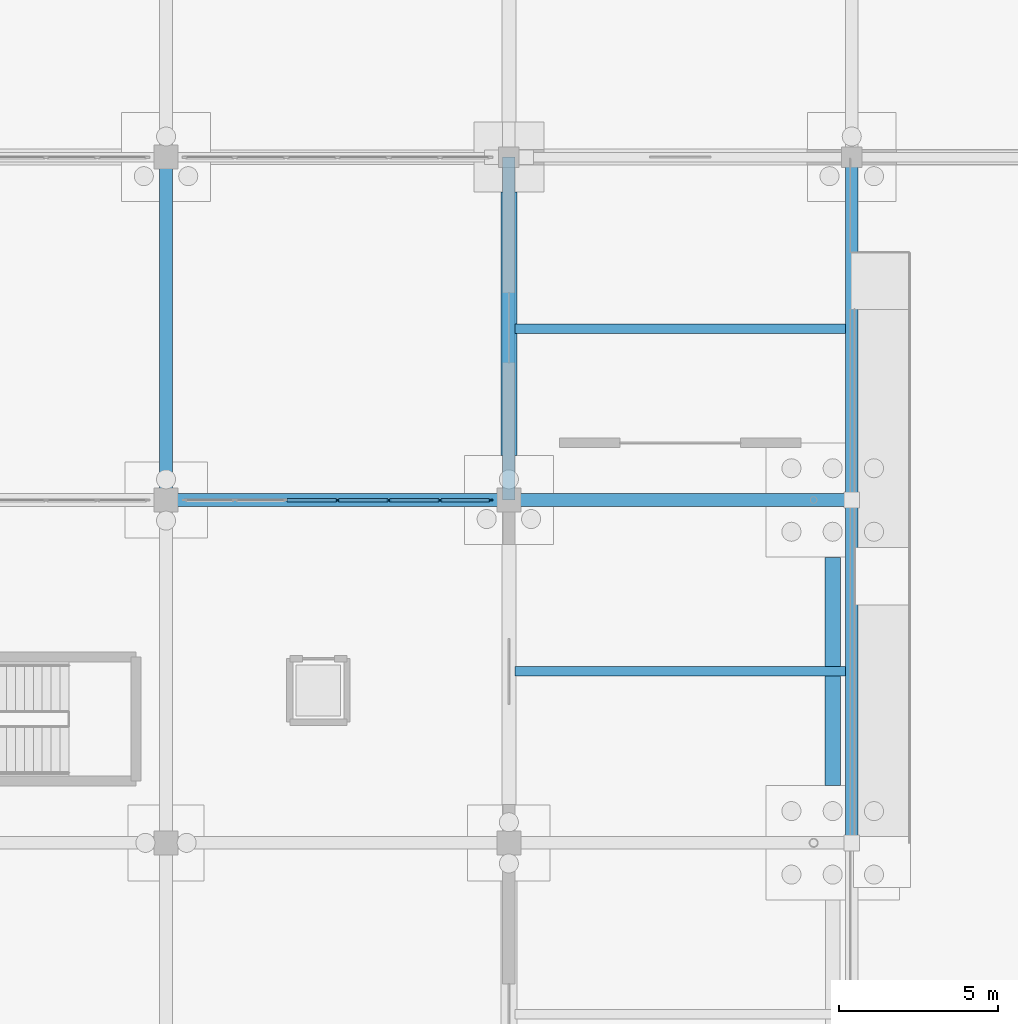
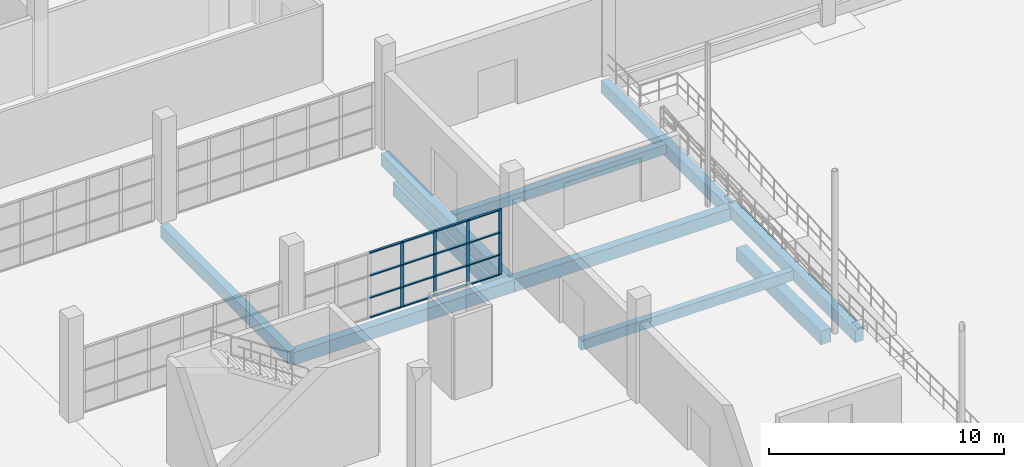
# One storey, part 73 of 138: 20 members, 10 beams, 1 element without a shape of its own.
"""IFC4 building model written with IfcOpenShell, lengths in metres."""

from ifc_helpers import new_model, si_unit, direction, frame, origin, origin_2d, place, context, subcontext, project, spatial, rectangle, extrude, material, material_profile, profile_set, type_object, element, aggregate, save


model = new_model("IFC4")

# Units and contexts
model_context = context("Model", 3, precision=1e-05, world=origin(), true_north=direction((0.0, 1.0)))
body_context = subcontext(model_context, "Body", "Model", "MODEL_VIEW")
ifc_project = project(units=[si_unit("LENGTHUNIT", "METRE"), si_unit("AREAUNIT", "SQUARE_METRE"), si_unit("VOLUMEUNIT", "CUBIC_METRE"), si_unit("PLANEANGLEUNIT", "RADIAN"), si_unit("MASSUNIT", "GRAM", prefix="KILO")], contexts=[model_context])

# Site, building, storey
site_placement = place(None, origin())
site = spatial("IfcSite", under=ifc_project, at=site_placement, CompositionType="ELEMENT")
building_placement = place(site_placement, origin())
building = spatial("IfcBuilding", under=site, at=building_placement, Name="Zwinboog Wholesale Market", CompositionType="ELEMENT")
storey_placement = place(building_placement, origin())
storey = spatial("IfcBuildingStorey", under=building, at=storey_placement, Name="L00", CompositionType="ELEMENT", Elevation=0.0)

# Beams
ifc_material_1 = material(Name="Precast concrete C45/55", Category="concrete")
ifc_material_profile_1 = material_profile(ifc_material_1, rectangle(XDim=0.39990234375, YDim=0.64990234375, at=origin_2d()), Name="PC 400x650")
ifc_profile_set_1 = profile_set([ifc_material_profile_1], Name="Precast concrete C45/55")
beam_type_1 = type_object("IfcBeamType", Name="BT-05", PredefinedType="BEAM", material=ifc_profile_set_1)
for number, where, z_axis, x_axis, name in (
    (1, (162.0, 86.39990234375, -0.680908203125), (1.0, 0.0, 0.0), (0.0, 1.0, 0.0), "BG-05 (BMG-L00-1620-0864-0130)"),
    (2, (162.0, 86.39990234375, -0.680908203125), (0.0, 1.0, 0.0), (-1.0, 0.0, 0.0), "BG-05 (BMG-L00-1620-0864-0373)"),
    (3, (172.800048828125, 86.39990234375, -0.719970703125), (0.0, 1.0, 0.0), (-1.0, 0.0, 0.0), "BG-05 (BMG-L00-1728-0864-0385)"),
    (4, (172.800048828125, 86.39990234375, -0.680908203125), (1.0, 0.0, 0.0), (0.0, 1.0, 0.0), "BG-05 (BM-TER-L00-0015)"),
):
    element("IfcBeam", number, at=place(storey_placement, frame(where, z_axis=z_axis, x_axis=x_axis)), inside=storey, type_object=beam_type_1, Name=name, PredefinedType="BEAM", context=body_context, shape_type="SweptSolid", body=[
        extrude(rectangle(XDim=0.39990234375, YDim=0.64990234375, at=origin_2d()), origin(), (0.0, 0.0, 1.0), 10.800048828125),
    ])
beam_1_placement = place(storey_placement, frame((183.60009765625, 75.60009765625, -0.5869140625), z_axis=(0.0, 1.0, 0.0), x_axis=(-1.0, 0.0, 0.0)))
element("IfcBeam", 5, at=beam_1_placement, inside=storey, type_object=beam_type_1, Name="BG-05 (BM-TER-L00-0028)", PredefinedType="BEAM", context=body_context, shape_type="SweptSolid", body=[
    extrude(rectangle(XDim=0.39990234375, YDim=0.64990234375, at=origin_2d()), origin(), (0.0, 0.0, 1.0), 10.7998046875),
])
beam_2_placement = place(storey_placement, frame((183.60009765625, 86.39990234375, -0.719970703125), z_axis=(0.0, 1.0, 0.0), x_axis=(-1.0, 0.0, 0.0)))
element("IfcBeam", 6, at=beam_2_placement, inside=storey, type_object=beam_type_1, Name="BG-05 (BM-TER-L00-0029)", PredefinedType="BEAM", context=body_context, shape_type="SweptSolid", body=[
    extrude(rectangle(XDim=0.39990234375, YDim=0.64990234375, at=origin_2d()), origin(), (0.0, 0.0, 1.0), 10.800048828125),
])
ifc_material_profile_2 = material_profile(ifc_material_1, rectangle(XDim=0.300048828125, YDim=0.5, at=origin_2d()), Name="PC 300x500")
ifc_profile_set_2 = profile_set([ifc_material_profile_2], Name="Precast concrete C45/55")
beam_type_2 = type_object("IfcBeamType", Name="BT-10", PredefinedType="JOIST", material=ifc_profile_set_2)
for number, where, z_axis, x_axis, name in (
    (7, (173.0, 81.0, -0.60595703125), (1.0, 0.0, 0.0), (0.0, 1.0, 0.0), "BJ-01 (BM-TER-L00-0044)"),
    (8, (173.0, 91.800048828125, -0.60595703125), (1.0, 0.0, 0.0), (0.0, 1.0, 0.0), "BJ-01 (BM-TER-L00-0045)"),
):
    element("IfcBeam", number, at=place(storey_placement, frame(where, z_axis=z_axis, x_axis=x_axis)), inside=storey, type_object=beam_type_2, Name=name, PredefinedType="JOIST", context=body_context, shape_type="SweptSolid", body=[
        extrude(rectangle(XDim=0.300048828125, YDim=0.5, at=origin_2d()), origin(), (0.0, 0.0, 1.0), 10.39990234375),
    ])
ifc_material_2 = material(Name="Concrete C35/45", Category="concrete")
ifc_material_profile_3 = material_profile(ifc_material_2, rectangle(XDim=0.5, YDim=0.699951171875, at=origin_2d()), Name="RC 500x700")
ifc_profile_set_3 = profile_set([ifc_material_profile_3], Name="Concrete C35/45")
beam_type_3 = type_object("IfcBeamType", Name="BT-12", PredefinedType="USERDEFINED", material=ifc_profile_set_3)
beam_3_placement = place(storey_placement, frame((172.800048828125, 87.804931640625, -1.550048828125), z_axis=(0.0, 1.0, 0.0), x_axis=(-1.0, 0.0, 0.0)))
element("IfcBeam", 9, at=beam_3_placement, inside=storey, type_object=beam_type_3, Name="GB-01 (BM-GB-0204)", ObjectType="GROUND_BEAM", PredefinedType="USERDEFINED", context=body_context, shape_type="SweptSolid", body=[
    extrude(rectangle(XDim=0.5, YDim=0.699951171875, at=origin_2d()), origin(), (0.0, 0.0, 1.0), 8.2900390625),
])
beam_4_placement = place(storey_placement, frame((183.0, 77.405029296875, -1.550048828125), z_axis=(0.0, 1.0, 0.0), x_axis=(-1.0, 0.0, 0.0)))
element("IfcBeam", 10, at=beam_4_placement, inside=storey, type_object=beam_type_3, Name="GB-01 (BM-GB-0210)", ObjectType="GROUND_BEAM", PredefinedType="USERDEFINED", context=body_context, shape_type="SweptSolid", body=[
    extrude(rectangle(XDim=0.5, YDim=0.699951171875, at=origin_2d()), origin(), (0.0, 0.0, 1.0), 7.18994140625),
])

# Curtain wall, members
ifc_material_3 = material(Name="Aluminium thermally broken curtain wall", Category="aluminium")
curtain_wall_type = type_object("IfcCurtainWallType", Name="CWT-INT-STALL", PredefinedType="USERDEFINED", material=ifc_material_3)
curtain_wall_placement = place(storey_placement, origin())
curtain_wall = element("IfcCurtainWall", 11, at=curtain_wall_placement, inside=storey, type_object=curtain_wall_type, Name="CW-07 (CW-STL-198)", ObjectType="STOREFRONT_GLAZING", PredefinedType="USERDEFINED")
ifc_material_4 = material(Name="Aluminium EN AW-6060", Category="aluminium")
ifc_material_profile_4 = material_profile(ifc_material_4, rectangle(XDim=0.06005859375, YDim=0.14990234375, at=origin_2d()), Name="AL 60x150")
ifc_profile_set_4 = profile_set([ifc_material_profile_4], Name="Aluminium EN AW-6060")
member_type_1 = type_object("IfcMemberType", Name="CWM-INT-60x120", PredefinedType="MULLION", material=ifc_profile_set_4)
member_1_placement = place(storey_placement, frame((167.39990234375, 86.39990234375, 0.0), z_axis=(0.0, 0.0, 1.0), x_axis=(0.0, 1.0, 0.0)))
member_1 = element("IfcMember", 12, at=member_1_placement, type_object=member_type_1, Name="CW-07 mullion 4", PredefinedType="MULLION", context=body_context, shape_type="SweptSolid", body=[
    extrude(rectangle(XDim=0.06005859375, YDim=0.14990234375, at=origin_2d()), origin(), (0.0, 0.0, 1.0), 3.39990234375),
])
member_2_placement = place(storey_placement, frame((169.0166015625, 86.39990234375, 0.0), z_axis=(0.0, 0.0, 1.0), x_axis=(0.0, 1.0, 0.0)))
member_2 = element("IfcMember", 13, at=member_2_placement, type_object=member_type_1, Name="CW-07 mullion 5", PredefinedType="MULLION", context=body_context, shape_type="SweptSolid", body=[
    extrude(rectangle(XDim=0.06005859375, YDim=0.14990234375, at=origin_2d()), origin(), (0.0, 0.0, 1.0), 3.39990234375),
])
member_3_placement = place(storey_placement, frame((170.63330078125, 86.39990234375, 0.0), z_axis=(0.0, 0.0, 1.0), x_axis=(0.0, 1.0, 0.0)))
member_3 = element("IfcMember", 14, at=member_3_placement, type_object=member_type_1, Name="CW-07 mullion 6", PredefinedType="MULLION", context=body_context, shape_type="SweptSolid", body=[
    extrude(rectangle(XDim=0.06005859375, YDim=0.14990234375, at=origin_2d()), origin(), (0.0, 0.0, 1.0), 3.39990234375),
])
member_4_placement = place(storey_placement, frame((172.219970703125, 86.39990234375, 0.0), z_axis=(0.0, 0.0, 1.0), x_axis=(0.0, 1.0, 0.0)))
member_4 = element("IfcMember", 15, at=member_4_placement, type_object=member_type_1, Name="CW-07 mullion 7", PredefinedType="MULLION", context=body_context, shape_type="SweptSolid", body=[
    extrude(rectangle(XDim=0.06005859375, YDim=0.14990234375, at=origin_2d()), origin(), (0.0, 0.0, 1.0), 3.39990234375),
])
ifc_material_profile_5 = material_profile(ifc_material_4, rectangle(XDim=0.110107421875, YDim=0.06005859375, at=origin_2d()), Name="AL 60x110")
ifc_profile_set_5 = profile_set([ifc_material_profile_5], Name="Aluminium EN AW-6060")
member_type_2 = type_object("IfcMemberType", Name="CWT-INT-60x100", PredefinedType="USERDEFINED", material=ifc_profile_set_5)
member_5_placement = place(storey_placement, frame((165.813232421875, 86.39990234375, 0.030029296875), z_axis=(1.0, 0.0, 0.0), x_axis=(0.0, 1.0, 0.0)))
member_5 = element("IfcMember", 16, at=member_5_placement, type_object=member_type_2, Name="CW-07 transom 3.1", ObjectType="TRANSOM", PredefinedType="USERDEFINED", context=body_context, shape_type="SweptSolid", body=[
    extrude(rectangle(XDim=0.110107421875, YDim=0.06005859375, at=origin_2d()), origin(), (0.0, 0.0, 1.0), 1.556884765625),
])
member_6_placement = place(storey_placement, frame((165.813232421875, 86.39990234375, 1.050048828125), z_axis=(1.0, 0.0, 0.0), x_axis=(0.0, 1.0, 0.0)))
member_6 = element("IfcMember", 17, at=member_6_placement, type_object=member_type_2, Name="CW-07 transom 3.2", ObjectType="TRANSOM", PredefinedType="USERDEFINED", context=body_context, shape_type="SweptSolid", body=[
    extrude(rectangle(XDim=0.110107421875, YDim=0.06005859375, at=origin_2d()), origin(), (0.0, 0.0, 1.0), 1.556884765625),
])
member_7_placement = place(storey_placement, frame((165.813232421875, 86.39990234375, 2.199951171875), z_axis=(1.0, 0.0, 0.0), x_axis=(0.0, 1.0, 0.0)))
member_7 = element("IfcMember", 18, at=member_7_placement, type_object=member_type_2, Name="CW-07 transom 3.3", ObjectType="TRANSOM", PredefinedType="USERDEFINED", context=body_context, shape_type="SweptSolid", body=[
    extrude(rectangle(XDim=0.110107421875, YDim=0.06005859375, at=origin_2d()), origin(), (0.0, 0.0, 1.0), 1.556884765625),
])
member_8_placement = place(storey_placement, frame((165.813232421875, 86.39990234375, 3.3701171875), z_axis=(1.0, 0.0, 0.0), x_axis=(0.0, 1.0, 0.0)))
member_8 = element("IfcMember", 19, at=member_8_placement, type_object=member_type_2, Name="CW-07 transom 3.4", ObjectType="TRANSOM", PredefinedType="USERDEFINED", context=body_context, shape_type="SweptSolid", body=[
    extrude(rectangle(XDim=0.110107421875, YDim=0.06005859375, at=origin_2d()), origin(), (0.0, 0.0, 1.0), 1.556884765625),
])
member_9_placement = place(storey_placement, frame((167.429931640625, 86.39990234375, 0.030029296875), z_axis=(1.0, 0.0, 0.0), x_axis=(0.0, 1.0, 0.0)))
member_9 = element("IfcMember", 20, at=member_9_placement, type_object=member_type_2, Name="CW-07 transom 4.1", ObjectType="TRANSOM", PredefinedType="USERDEFINED", context=body_context, shape_type="SweptSolid", body=[
    extrude(rectangle(XDim=0.110107421875, YDim=0.06005859375, at=origin_2d()), origin(), (0.0, 0.0, 1.0), 1.556640625),
])
member_10_placement = place(storey_placement, frame((167.429931640625, 86.39990234375, 1.050048828125), z_axis=(1.0, 0.0, 0.0), x_axis=(0.0, 1.0, 0.0)))
member_10 = element("IfcMember", 21, at=member_10_placement, type_object=member_type_2, Name="CW-07 transom 4.2", ObjectType="TRANSOM", PredefinedType="USERDEFINED", context=body_context, shape_type="SweptSolid", body=[
    extrude(rectangle(XDim=0.110107421875, YDim=0.06005859375, at=origin_2d()), origin(), (0.0, 0.0, 1.0), 1.556640625),
])
member_11_placement = place(storey_placement, frame((167.429931640625, 86.39990234375, 2.199951171875), z_axis=(1.0, 0.0, 0.0), x_axis=(0.0, 1.0, 0.0)))
member_11 = element("IfcMember", 22, at=member_11_placement, type_object=member_type_2, Name="CW-07 transom 4.3", ObjectType="TRANSOM", PredefinedType="USERDEFINED", context=body_context, shape_type="SweptSolid", body=[
    extrude(rectangle(XDim=0.110107421875, YDim=0.06005859375, at=origin_2d()), origin(), (0.0, 0.0, 1.0), 1.556640625),
])
member_12_placement = place(storey_placement, frame((167.429931640625, 86.39990234375, 3.3701171875), z_axis=(1.0, 0.0, 0.0), x_axis=(0.0, 1.0, 0.0)))
member_12 = element("IfcMember", 23, at=member_12_placement, type_object=member_type_2, Name="CW-07 transom 4.4", ObjectType="TRANSOM", PredefinedType="USERDEFINED", context=body_context, shape_type="SweptSolid", body=[
    extrude(rectangle(XDim=0.110107421875, YDim=0.06005859375, at=origin_2d()), origin(), (0.0, 0.0, 1.0), 1.556640625),
])
member_13_placement = place(storey_placement, frame((169.046630859375, 86.39990234375, 0.030029296875), z_axis=(1.0, 0.0, 0.0), x_axis=(0.0, 1.0, 0.0)))
member_13 = element("IfcMember", 24, at=member_13_placement, type_object=member_type_2, Name="CW-07 transom 5.1", ObjectType="TRANSOM", PredefinedType="USERDEFINED", context=body_context, shape_type="SweptSolid", body=[
    extrude(rectangle(XDim=0.110107421875, YDim=0.06005859375, at=origin_2d()), origin(), (0.0, 0.0, 1.0), 1.556640625),
])
member_14_placement = place(storey_placement, frame((169.046630859375, 86.39990234375, 1.050048828125), z_axis=(1.0, 0.0, 0.0), x_axis=(0.0, 1.0, 0.0)))
member_14 = element("IfcMember", 25, at=member_14_placement, type_object=member_type_2, Name="CW-07 transom 5.2", ObjectType="TRANSOM", PredefinedType="USERDEFINED", context=body_context, shape_type="SweptSolid", body=[
    extrude(rectangle(XDim=0.110107421875, YDim=0.06005859375, at=origin_2d()), origin(), (0.0, 0.0, 1.0), 1.556640625),
])
member_15_placement = place(storey_placement, frame((169.046630859375, 86.39990234375, 2.199951171875), z_axis=(1.0, 0.0, 0.0), x_axis=(0.0, 1.0, 0.0)))
member_15 = element("IfcMember", 26, at=member_15_placement, type_object=member_type_2, Name="CW-07 transom 5.3", ObjectType="TRANSOM", PredefinedType="USERDEFINED", context=body_context, shape_type="SweptSolid", body=[
    extrude(rectangle(XDim=0.110107421875, YDim=0.06005859375, at=origin_2d()), origin(), (0.0, 0.0, 1.0), 1.556640625),
])
member_16_placement = place(storey_placement, frame((169.046630859375, 86.39990234375, 3.3701171875), z_axis=(1.0, 0.0, 0.0), x_axis=(0.0, 1.0, 0.0)))
member_16 = element("IfcMember", 27, at=member_16_placement, type_object=member_type_2, Name="CW-07 transom 5.4", ObjectType="TRANSOM", PredefinedType="USERDEFINED", context=body_context, shape_type="SweptSolid", body=[
    extrude(rectangle(XDim=0.110107421875, YDim=0.06005859375, at=origin_2d()), origin(), (0.0, 0.0, 1.0), 1.556640625),
])
member_17_placement = place(storey_placement, frame((170.663330078125, 86.39990234375, 0.030029296875), z_axis=(1.0, 0.0, 0.0), x_axis=(0.0, 1.0, 0.0)))
member_17 = element("IfcMember", 28, at=member_17_placement, type_object=member_type_2, Name="CW-07 transom 6.1", ObjectType="TRANSOM", PredefinedType="USERDEFINED", context=body_context, shape_type="SweptSolid", body=[
    extrude(rectangle(XDim=0.110107421875, YDim=0.06005859375, at=origin_2d()), origin(), (0.0, 0.0, 1.0), 1.526611328125),
])
member_18_placement = place(storey_placement, frame((170.663330078125, 86.39990234375, 1.050048828125), z_axis=(1.0, 0.0, 0.0), x_axis=(0.0, 1.0, 0.0)))
member_18 = element("IfcMember", 29, at=member_18_placement, type_object=member_type_2, Name="CW-07 transom 6.2", ObjectType="TRANSOM", PredefinedType="USERDEFINED", context=body_context, shape_type="SweptSolid", body=[
    extrude(rectangle(XDim=0.110107421875, YDim=0.06005859375, at=origin_2d()), origin(), (0.0, 0.0, 1.0), 1.526611328125),
])
member_19_placement = place(storey_placement, frame((170.663330078125, 86.39990234375, 2.199951171875), z_axis=(1.0, 0.0, 0.0), x_axis=(0.0, 1.0, 0.0)))
member_19 = element("IfcMember", 30, at=member_19_placement, type_object=member_type_2, Name="CW-07 transom 6.3", ObjectType="TRANSOM", PredefinedType="USERDEFINED", context=body_context, shape_type="SweptSolid", body=[
    extrude(rectangle(XDim=0.110107421875, YDim=0.06005859375, at=origin_2d()), origin(), (0.0, 0.0, 1.0), 1.526611328125),
])
member_20_placement = place(storey_placement, frame((170.663330078125, 86.39990234375, 3.3701171875), z_axis=(1.0, 0.0, 0.0), x_axis=(0.0, 1.0, 0.0)))
member_20 = element("IfcMember", 31, at=member_20_placement, type_object=member_type_2, Name="CW-07 transom 6.4", ObjectType="TRANSOM", PredefinedType="USERDEFINED", context=body_context, shape_type="SweptSolid", body=[
    extrude(rectangle(XDim=0.110107421875, YDim=0.06005859375, at=origin_2d()), origin(), (0.0, 0.0, 1.0), 1.526611328125),
])
aggregate(curtain_wall, [member_1, member_2, member_3, member_4, member_5, member_6, member_7, member_8, member_9, member_10, member_11, member_12, member_13, member_14, member_15, member_16, member_17, member_18, member_19, member_20])

save(model, "model.ifc")
